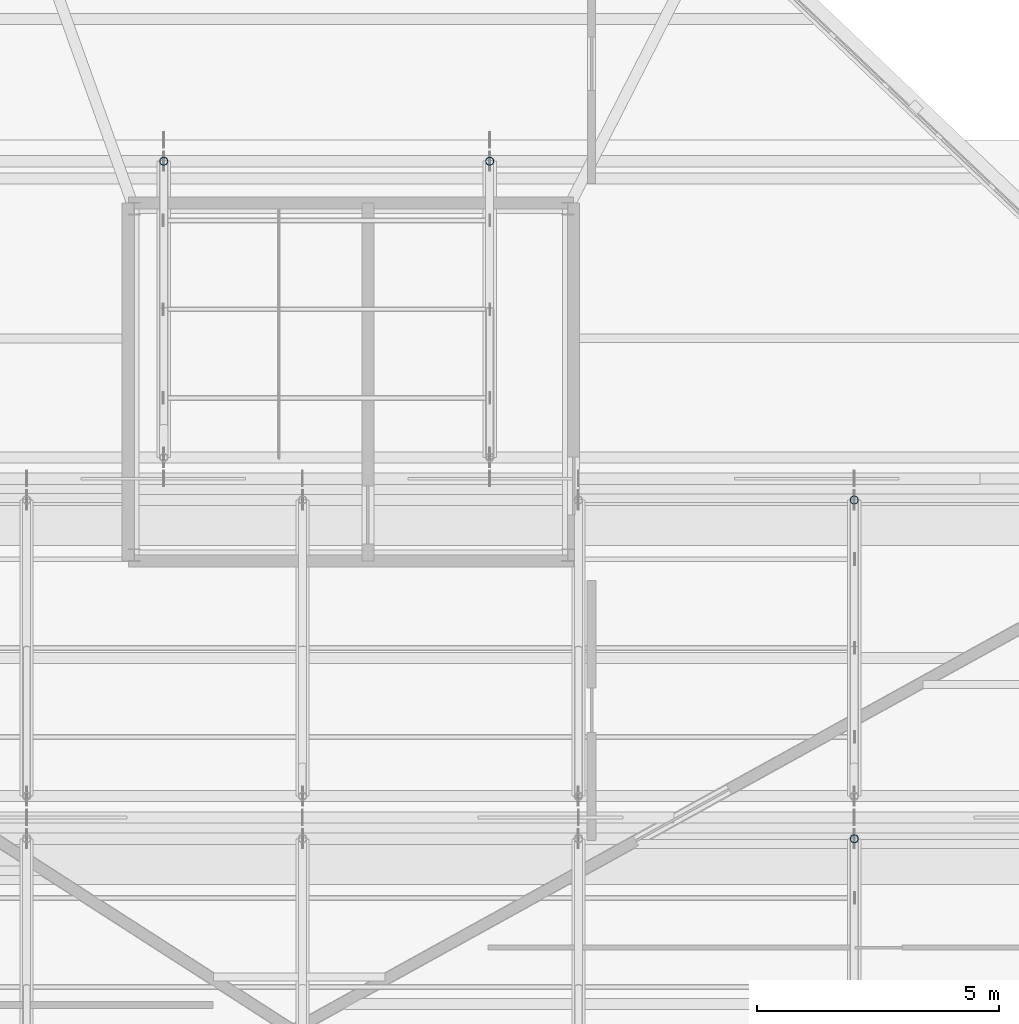
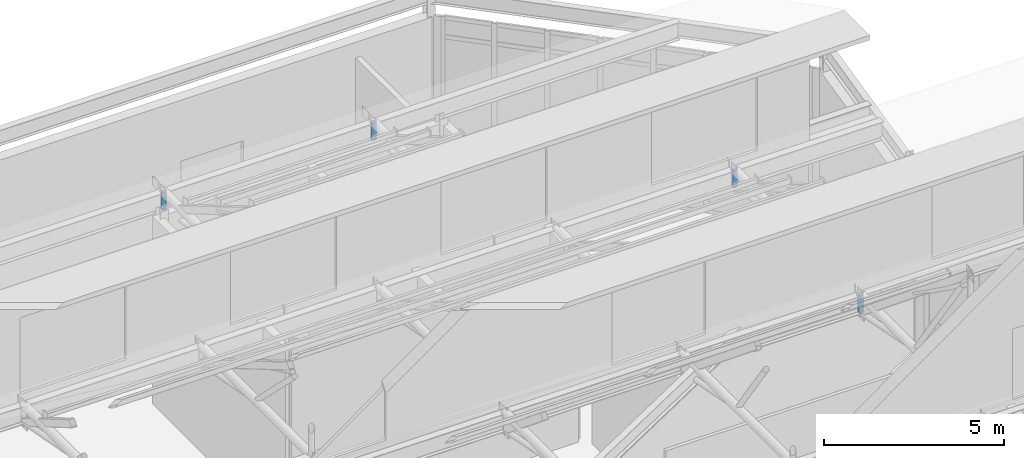
# One storey, part 41 of 55: 4 members.
"""IFC4 building model written with IfcOpenShell, lengths in metres."""

from ifc_helpers import new_model, si_unit, direction, frame, origin, origin_2d, place, context, subcontext, project, spatial, hollow_circle, extrude, material, material_profile, profile_set, type_object, element, save


model = new_model("IFC4")

# Units and contexts
model_context = context("Model", 3, precision=1e-05, world=origin(), true_north=direction((0.0, 1.0)))
body_context = subcontext(model_context, "Body", "Model", "MODEL_VIEW")
ifc_project = project(units=[si_unit("LENGTHUNIT", "METRE"), si_unit("AREAUNIT", "SQUARE_METRE"), si_unit("VOLUMEUNIT", "CUBIC_METRE"), si_unit("PLANEANGLEUNIT", "RADIAN"), si_unit("MASSUNIT", "GRAM", prefix="KILO")], contexts=[model_context])

# Site, building, storey
site_placement = place(None, origin())
site = spatial("IfcSite", under=ifc_project, at=site_placement, CompositionType="ELEMENT")
building_placement = place(site_placement, origin())
building = spatial("IfcBuilding", under=site, at=building_placement, Name="Tameran Prism Museum", CompositionType="ELEMENT")
storey_placement = place(building_placement, frame((0.0, 0.0, 28.800048828125)))
storey = spatial("IfcBuildingStorey", under=building, at=storey_placement, Name="L05", CompositionType="ELEMENT", Elevation=28.800048828125)

# Members
ifc_material = material(Name="Steel Grade C350L0 (350 MPa)", Category="steel")
ifc_material_profile = material_profile(ifc_material, hollow_circle(Radius=0.084228515625, WallThickness=0.007080078125, at=origin_2d()))
ifc_profile_set = profile_set([ifc_material_profile])
member_type = type_object("IfcMemberType", Name="MM-BR-CHS168", PredefinedType="BRACE", material=ifc_profile_set)
member_placement = place(storey_placement, frame((130.39990234375, 93.06005859375, 6.385986328125), z_axis=(0.0, 0.0, -1.0), x_axis=(1.0, 0.0, 0.0)))
element("IfcMember", 1, at=member_placement, inside=storey, type_object=member_type, Name="Sawtooth Brace STM-0109", PredefinedType="BRACE", context=body_context, shape_type="SweptSolid", body=[
    extrude(hollow_circle(Radius=0.084228515625, WallThickness=0.007080078125, at=origin_2d()), origin(), (0.0, 0.0, 1.0), 0.59814453125),
])
for number, where, z_axis, x_axis, name in (
    (2, (130.39990234375, 100.06005859375, 6.385986328125), (0.0, 0.0, -1.0), (1.0, 0.0, 0.0), "Sawtooth Brace STM-0144"),
    (3, (116.133056640625, 107.06005859375, 6.385986328125), (0.0, 0.0, -1.0), (1.0, 0.0, 0.0), "Sawtooth Brace STM-0151"),
    (4, (122.866943359375, 107.06005859375, 6.385986328125), (0.0, 0.0, -1.0), (1.0, 0.0, 0.0), "Sawtooth Brace STM-0158"),
):
    element("IfcMember", number, at=place(storey_placement, frame(where, z_axis=z_axis, x_axis=x_axis)), inside=storey, type_object=member_type, Name=name, PredefinedType="BRACE", context=body_context, shape_type="SweptSolid", body=[
        extrude(hollow_circle(Radius=0.084228515625, WallThickness=0.007080078125, at=origin_2d()), origin(), (0.0, 0.0, 1.0), 0.5771484375),
    ])

save(model, "model.ifc")
